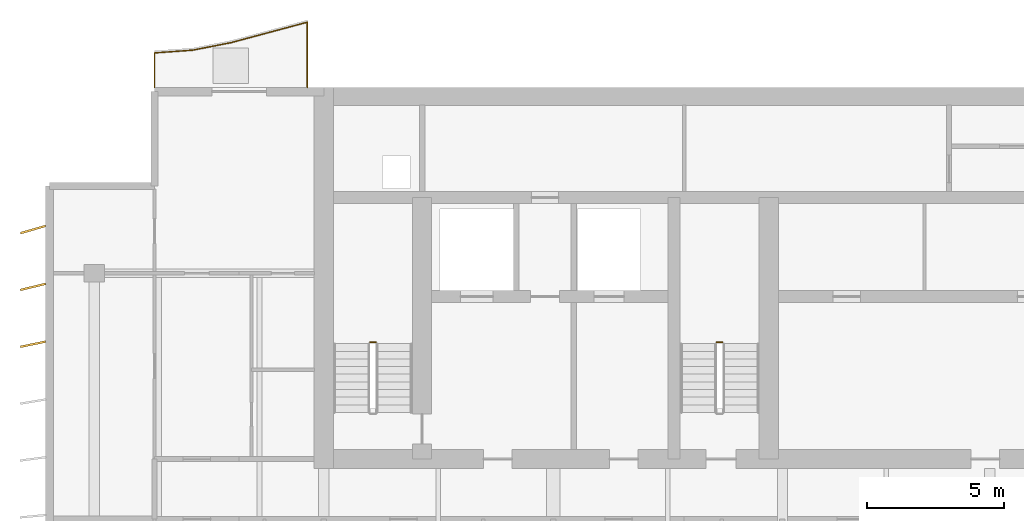
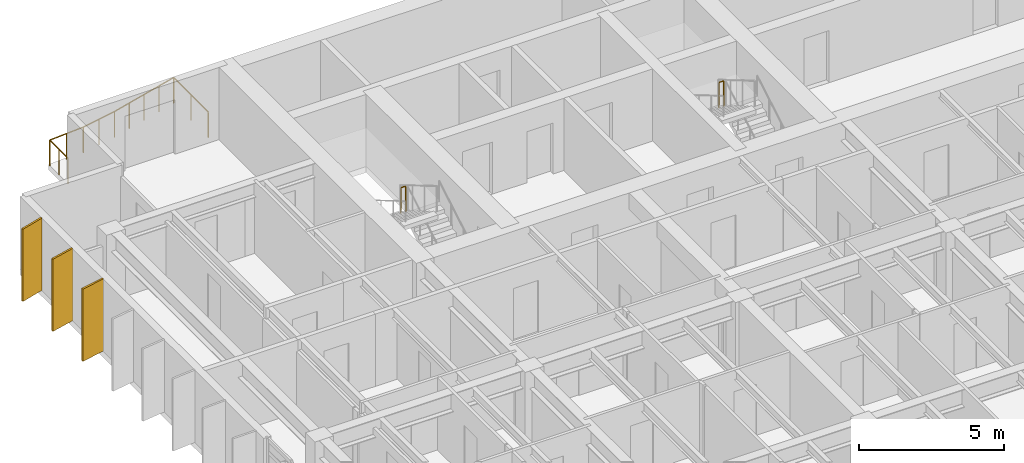
# One storey, part 16 of 17: 3 railings, 3 shading devices.
"""IFC4 building model written with IfcOpenShell, lengths in metres."""

from ifc_helpers import new_model, si_unit, direction, frame, origin, origin_2d, place, context, subcontext, project, spatial, rectangle, circle, extrude, material, material_profile, profile_set, type_object, element, save


model = new_model("IFC4")

# Units and contexts
model_context = context("Model", 3, precision=1e-05, world=origin(), true_north=direction((0.0, 1.0)))
body_context = subcontext(model_context, "Body", "Model", "MODEL_VIEW")
ifc_project = project(units=[si_unit("LENGTHUNIT", "METRE"), si_unit("AREAUNIT", "SQUARE_METRE"), si_unit("VOLUMEUNIT", "CUBIC_METRE"), si_unit("PLANEANGLEUNIT", "RADIAN"), si_unit("MASSUNIT", "GRAM", prefix="KILO")], contexts=[model_context])

# Site, building, storey
site_placement = place(None, origin())
site = spatial("IfcSite", under=ifc_project, at=site_placement, CompositionType="ELEMENT")
building_placement = place(site_placement, origin())
building = spatial("IfcBuilding", under=site, at=building_placement, Name="Caelmar Bay Residences", CompositionType="ELEMENT")
storey_placement = place(building_placement, frame((0.0, 0.0, 262.800048828125)))
storey = spatial("IfcBuildingStorey", under=building, at=storey_placement, Name="L74", CompositionType="ELEMENT", Elevation=262.800048828125)

# Railings
ifc_material_1 = material(Name="Anodised bronze handrail with laminated hurricane glass infill", Category="glass")
railing_type_1 = type_object("IfcRailingType", Name="RL-BAL-1100", PredefinedType="BALUSTRADE", material=ifc_material_1)
railing_placement = place(storey_placement, frame((17.699951171875, 50.60009765625, 0.0)))
element("IfcRailing", 1, at=railing_placement, inside=storey, type_object=railing_type_1, Name="L74 north_west Balcony Balustrade", PredefinedType="BALUSTRADE", context=body_context, shape_type="SweptSolid", body=[
    extrude(circle(Radius=0.02392578125, at=origin_2d()), frame((0.0, 0.0, 1.076171875), z_axis=(0.0, 1.0, 0.0), x_axis=(-1.0, 0.0, 0.0)), (0.0, 0.0, 1.0), 2.39501953125),
    extrude(circle(Radius=0.02392578125, at=origin_2d()), frame((0.0, 2.39501953125, 1.076171875), z_axis=(-0.965943540406, -0.258752926066, 0.0), x_axis=(0.258752926066, -0.965943540406, 0.0)), (0.0, 0.0, 1.0), 1.44921875),
    extrude(circle(Radius=0.02392578125, at=origin_2d()), frame((-1.39990234375, 2.02001953125, 1.076171875), z_axis=(-0.965954816498, -0.258710827923, 0.0), x_axis=(0.258710827923, -0.965954816498, 0.0)), (0.0, 0.0, 1.0), 1.449462890625),
    extrude(circle(Radius=0.02392578125, at=origin_2d()), frame((-2.800048828125, 1.64501953125, 1.076171875), z_axis=(-0.981291567128, -0.192527557206, 0.0), x_axis=(0.192527557206, -0.981291567128, 0.0)), (0.0, 0.0, 1.0), 1.426513671875),
    extrude(circle(Radius=0.02392578125, at=origin_2d()), frame((-4.199951171875, 1.370361328125, 1.076171875), z_axis=(-0.997441009083, -0.07149428928, 0.0), x_axis=(0.07149428928, -0.997441009083, 0.0)), (0.0, 0.0, 1.0), 1.403564453125),
    extrude(circle(Radius=0.02392578125, at=origin_2d()), frame((-5.599853515625, 1.27001953125, 1.076171875), z_axis=(0.0, -1.0, 0.0), x_axis=(1.0, 0.0, 0.0)), (0.0, 0.0, 1.0), 1.27001953125),
    extrude(circle(Radius=0.02099609375, at=origin_2d()), origin(), (0.0, 0.0, 1.0), 1.052001953125),
    extrude(circle(Radius=0.02099609375, at=origin_2d()), frame((0.0, 1.197509765625, 0.0)), (0.0, 0.0, 1.0), 1.052001953125),
    extrude(circle(Radius=0.02099609375, at=origin_2d()), frame((0.0, 2.39501953125, 0.0)), (0.0, 0.0, 1.0), 1.052001953125),
    extrude(circle(Radius=0.02099609375, at=origin_2d()), frame((-0.699951171875, 2.20751953125, 0.0)), (0.0, 0.0, 1.0), 1.052001953125),
    extrude(circle(Radius=0.02099609375, at=origin_2d()), frame((-1.39990234375, 2.02001953125, 0.0)), (0.0, 0.0, 1.0), 1.052001953125),
    extrude(circle(Radius=0.02099609375, at=origin_2d()), frame((-2.10009765625, 1.83251953125, 0.0)), (0.0, 0.0, 1.0), 1.052001953125),
    extrude(circle(Radius=0.02099609375, at=origin_2d()), frame((-2.800048828125, 1.64501953125, 0.0)), (0.0, 0.0, 1.0), 1.052001953125),
    extrude(circle(Radius=0.02099609375, at=origin_2d()), frame((-3.5, 1.5078125, 0.0)), (0.0, 0.0, 1.0), 1.052001953125),
    extrude(circle(Radius=0.02099609375, at=origin_2d()), frame((-4.199951171875, 1.370361328125, 0.0)), (0.0, 0.0, 1.0), 1.052001953125),
    extrude(circle(Radius=0.02099609375, at=origin_2d()), frame((-4.89990234375, 1.3203125, 0.0)), (0.0, 0.0, 1.0), 1.052001953125),
    extrude(circle(Radius=0.02099609375, at=origin_2d()), frame((-5.599853515625, 1.27001953125, 0.0)), (0.0, 0.0, 1.0), 1.052001953125),
    extrude(circle(Radius=0.02099609375, at=origin_2d()), frame((-5.599853515625, 0.635009765625, 0.0)), (0.0, 0.0, 1.0), 1.052001953125),
    extrude(circle(Radius=0.02099609375, at=origin_2d()), frame((-5.599853515625, 0.0, 0.0)), (0.0, 0.0, 1.0), 1.052001953125),
])
ifc_material_2 = material(Name="Painted galvanized steel stair guard 1100 mm", Category="steel")
railing_type_2 = type_object("IfcRailingType", Name="RL-GRD-1100", PredefinedType="GUARDRAIL", material=ifc_material_2)
for number, where, name in (
    (2, (20.199951171875, 41.27001953125, 1.64990234375), "L74 ST1 stair guard 2"),
    (3, (32.89990234375, 41.27001953125, 1.64990234375), "L74 ST3 stair guard 2"),
):
    element("IfcRailing", number, at=place(storey_placement, frame(where)), inside=storey, type_object=railing_type_2, Name=name, PredefinedType="GUARDRAIL", context=body_context, shape_type="SweptSolid", body=[
        extrude(circle(Radius=0.02392578125, at=origin_2d()), frame((0.0, 0.0, 1.076171875), z_axis=(-1.0, 0.0, 0.0), x_axis=(0.0, -1.0, 0.0)), (0.0, 0.0, 1.0), 0.199951171875),
        extrude(circle(Radius=0.02099609375, at=origin_2d()), origin(), (0.0, 0.0, 1.0), 1.052001953125),
        extrude(circle(Radius=0.02099609375, at=origin_2d()), frame((-0.199951171875, 0.0, 0.0)), (0.0, 0.0, 1.0), 1.052001953125),
    ])

# Shading devices
ifc_material_3 = material(Name="Anodised architectural bronze aluminium 6063-T6", Category="aluminium")
ifc_material_profile = material_profile(ifc_material_3, rectangle(XDim=0.074951171875, YDim=0.949951171875, at=origin_2d()), Name="BRONZE-FIN-75X950")
ifc_profile_set = profile_set([ifc_material_profile], Name="Anodised architectural bronze aluminium 6063-T6")
shading_device_type = type_object("IfcShadingDeviceType", Name="SHD-FIN-950", PredefinedType="USERDEFINED", material=ifc_profile_set)
for number, where, z_axis, x_axis, name in (
    (4, (7.64990234375, 41.199951171875, 0.0), (0.0, 0.0, 1.0), (-0.2032999874, 0.979116497217, 0.0), "L74 West Bronze Solar Fin 14"),
    (5, (7.64990234375, 43.300048828125, 0.0), (0.0, 0.0, 1.0), (-0.239719743609, 0.970842131618, 0.0), "L74 West Bronze Solar Fin 15"),
    (6, (7.64990234375, 45.39990234375, 0.0), (0.0, 0.0, 1.0), (-0.275637355817, 0.961261695938, 0.0), "L74 West Bronze Solar Fin 16"),
):
    element("IfcShadingDevice", number, at=place(storey_placement, frame(where, z_axis=z_axis, x_axis=x_axis)), inside=storey, type_object=shading_device_type, Name=name, ObjectType="FIN", PredefinedType="USERDEFINED", context=body_context, shape_type="SweptSolid", body=[
        extrude(rectangle(XDim=0.074951171875, YDim=0.949951171875, at=origin_2d()), origin(), (0.0, 0.0, 1.0), 3.050048828125),
    ])

save(model, "model.ifc")
